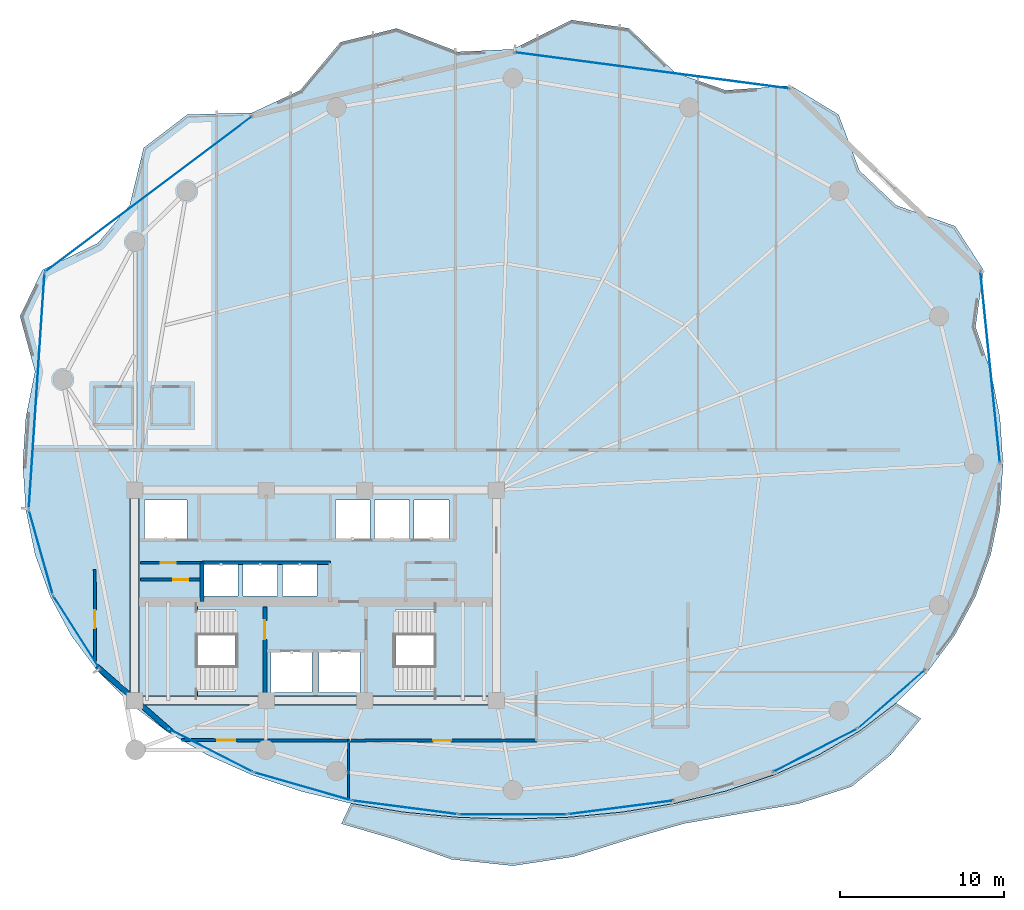
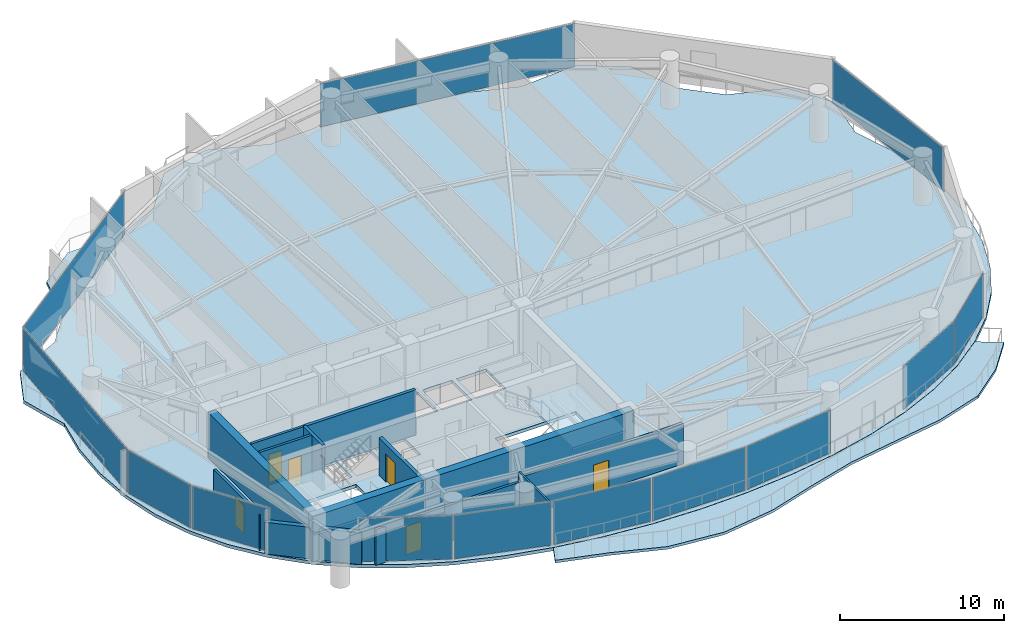
# One storey, part 24 of 30: 13 plates, 12 walls, 6 doors, 4 slabs, 6 openings, 15 elements without a shape of their own.
"""IFC4 building model written with IfcOpenShell, lengths in metres."""

from ifc_helpers import new_model, si_unit, direction, frame, frame_2d, origin, origin_2d, place, context, subcontext, project, spatial, polyline, rectangle, outline, extrude, material, layer, layer_set, type_object, element, fill, aggregate, save


model = new_model("IFC4")

# Units and contexts
model_context = context("Model", 3, precision=1e-05, world=origin(), true_north=direction((0.0, 1.0)))
body_context = subcontext(model_context, "Body", "Model", "MODEL_VIEW")
ifc_project = project(units=[si_unit("LENGTHUNIT", "METRE"), si_unit("AREAUNIT", "SQUARE_METRE"), si_unit("VOLUMEUNIT", "CUBIC_METRE"), si_unit("PLANEANGLEUNIT", "RADIAN"), si_unit("MASSUNIT", "GRAM", prefix="KILO")], contexts=[model_context])

# Site, building, storey
site_placement = place(None, origin())
site = spatial("IfcSite", under=ifc_project, at=site_placement, CompositionType="ELEMENT")
building_placement = place(site_placement, origin())
building = spatial("IfcBuilding", under=site, at=building_placement, Name="Kazevale Care Tower and Concert Hall", CompositionType="ELEMENT")
storey_placement = place(building_placement, frame((0.0, 0.0, 131.39990234375)))
storey = spatial("IfcBuildingStorey", under=building, at=storey_placement, Name="L34", CompositionType="ELEMENT", Elevation=131.39990234375)

# Curtain wall, plate
ifc_material_1 = material(Name="Aluminium 6063-T6 and Low-E Glass", Category="aluminium")
ifc_layer_1 = layer(ifc_material_1, 0.179931640625)
ifc_layer_set_1 = layer_set([ifc_layer_1], Name="Aluminium 6063-T6 and Low-E Glass")
curtain_wall_type_1 = type_object("IfcCurtainWallType", Name="Convex Recessed Sunroom Curtain Wall CW-3", PredefinedType="NOTDEFINED", material=ifc_layer_set_1)
curtain_wall_1_placement = place(storey_placement, origin())
curtain_wall_1 = element("IfcCurtainWall", 1, at=curtain_wall_1_placement, inside=storey, type_object=curtain_wall_type_1, Name="cw:L34:f14", PredefinedType="NOTDEFINED")
ifc_material_2 = material(Name="Low-E Laminated Glass", Category="glass")
ifc_layer_2 = layer(ifc_material_2, 0.028076171875)
ifc_layer_set_2 = layer_set([ifc_layer_2], Name="Low-E Laminated Glass")
plate_type_1 = type_object("IfcPlateType", Name="CW-3 Low-E Glazing Panel 28mm", PredefinedType="CURTAIN_PANEL", material=ifc_layer_set_2)
plate_1_placement = place(storey_placement, frame((22.8583984375, 54.402099609375, 0.0751953125), z_axis=(0.0, 0.0, 1.0), x_axis=(0.799400950952, 0.600797902474, 0.0)))
plate_1 = element("IfcPlate", 2, at=plate_1_placement, type_object=plate_type_1, Name="CW-3 panel 1.1", PredefinedType="CURTAIN_PANEL", context=body_context, shape_type="SweptSolid", body=[
    extrude(rectangle(XDim=15.685546875, YDim=0.028076171875, at=origin_2d()), origin(), (0.0, 0.0, 1.0), 3.2099609375),
])
aggregate(curtain_wall_1, [plate_1])

curtain_wall_2_placement = place(storey_placement, origin())
curtain_wall_2 = element("IfcCurtainWall", 3, at=curtain_wall_2_placement, inside=storey, type_object=curtain_wall_type_1, Name="cw:L34:f16", PredefinedType="NOTDEFINED")
plate_2_placement = place(storey_placement, frame((53.447509765625, 61.91357421875, 0.0751953125), z_axis=(0.0, 0.0, 1.0), x_axis=(0.991405823257, -0.130822374277, 0.0)))
plate_2 = element("IfcPlate", 4, at=plate_2_placement, type_object=plate_type_1, Name="CW-3 panel 1.1", PredefinedType="CURTAIN_PANEL", context=body_context, shape_type="SweptSolid", body=[
    extrude(rectangle(XDim=16.796630859375, YDim=0.028076171875, at=origin_2d()), origin(), (0.0, 0.0, 1.0), 3.2099609375),
])
aggregate(curtain_wall_2, [plate_2])

ifc_layer_3 = layer(ifc_material_1, 0.179931640625)
ifc_layer_set_3 = layer_set([ifc_layer_3], Name="Aluminium 6063-T6 and Low-E Glass")
curtain_wall_type_2 = type_object("IfcCurtainWallType", Name="Waist & Upper Residential Curtain Wall CW-4", PredefinedType="NOTDEFINED", material=ifc_layer_set_3)
curtain_wall_3_placement = place(storey_placement, origin())
curtain_wall_3 = element("IfcCurtainWall", 5, at=curtain_wall_3_placement, inside=storey, type_object=curtain_wall_type_2, Name="cw:L34:f11", PredefinedType="NOTDEFINED")
ifc_layer_4 = layer(ifc_material_2, 0.030029296875)
ifc_layer_set_4 = layer_set([ifc_layer_4], Name="Low-E Laminated Glass")
plate_type_2 = type_object("IfcPlateType", Name="CW-4 Low-E Glazing Panel 30mm", PredefinedType="CURTAIN_PANEL", material=ifc_layer_set_4)
plate_3_placement = place(storey_placement, frame((18.470458984375, 27.75244140625, 0.080078125), z_axis=(0.0, 0.0, 1.0), x_axis=(-0.537239193981, 0.843429930967, 0.0)))
plate_3 = element("IfcPlate", 6, at=plate_3_placement, type_object=plate_type_2, Name="CW-4 panel 1.1", PredefinedType="CURTAIN_PANEL", context=body_context, shape_type="SweptSolid", body=[
    extrude(rectangle(XDim=5.176513671875, YDim=0.030029296875, at=origin_2d()), origin(), (0.0, 0.0, 1.0), 3.199951171875),
])
aggregate(curtain_wall_3, [plate_3])

curtain_wall_4_placement = place(storey_placement, origin())
curtain_wall_4 = element("IfcCurtainWall", 7, at=curtain_wall_4_placement, inside=storey, type_object=curtain_wall_type_2, Name="cw:L34:f12", PredefinedType="NOTDEFINED")
plate_4_placement = place(storey_placement, frame((16.301513671875, 32.612548828125, 0.080078125), z_axis=(0.0, 0.0, 1.0), x_axis=(-0.271284948278, 0.962499078876, 0.0)))
plate_4 = element("IfcPlate", 8, at=plate_4_placement, type_object=plate_type_2, Name="CW-4 panel 1.1", PredefinedType="CURTAIN_PANEL", context=body_context, shape_type="SweptSolid", body=[
    extrude(rectangle(XDim=5.262451171875, YDim=0.030029296875, at=origin_2d()), origin(), (0.0, 0.0, 1.0), 3.199951171875),
])
aggregate(curtain_wall_4, [plate_4])

curtain_wall_5_placement = place(storey_placement, origin())
curtain_wall_5 = element("IfcCurtainWall", 9, at=curtain_wall_5_placement, inside=storey, type_object=curtain_wall_type_2, Name="cw:L34:f13", PredefinedType="NOTDEFINED")
plate_5_placement = place(storey_placement, frame((16.047607421875, 42.43359375, 0.080078125), z_axis=(0.0, 0.0, 1.0), x_axis=(0.06662002475, 0.997778418439, 0.0)))
plate_5 = element("IfcPlate", 10, at=plate_5_placement, type_object=plate_type_2, Name="CW-4 panel 1.1", PredefinedType="CURTAIN_PANEL", context=body_context, shape_type="SweptSolid", body=[
    extrude(rectangle(XDim=14.295166015625, YDim=0.030029296875, at=origin_2d()), origin(), (0.0, 0.0, 1.0), 3.199951171875),
])
aggregate(curtain_wall_5, [plate_5])

curtain_wall_6_placement = place(storey_placement, origin())
curtain_wall_6 = element("IfcCurtainWall", 11, at=curtain_wall_6_placement, inside=storey, type_object=curtain_wall_type_2, Name="cw:L34:f18", PredefinedType="NOTDEFINED")
plate_6_placement = place(storey_placement, frame((74.01904296875, 43.868896484375, 0.080078125), z_axis=(0.0, 0.0, 1.0), x_axis=(0.101869730126, -0.994797747326, 0.0)))
plate_6 = element("IfcPlate", 12, at=plate_6_placement, type_object=plate_type_2, Name="CW-4 panel 1.1", PredefinedType="CURTAIN_PANEL", context=body_context, shape_type="SweptSolid", body=[
    extrude(rectangle(XDim=11.639404296875, YDim=0.030029296875, at=origin_2d()), origin(), (0.0, 0.0, 1.0), 3.199951171875),
])
aggregate(curtain_wall_6, [plate_6])

ifc_layer_5 = layer(ifc_material_1, 0.179931640625)
ifc_layer_set_5 = layer_set([ifc_layer_5], Name="Aluminium 6063-T6 and Low-E Glass")
curtain_wall_type_3 = type_object("IfcCurtainWallType", Name="Sheltered Concave Balcony Curtain Wall CW-5", PredefinedType="NOTDEFINED", material=ifc_layer_set_5)
curtain_wall_7_placement = place(storey_placement, origin())
curtain_wall_7 = element("IfcCurtainWall", 13, at=curtain_wall_7_placement, inside=storey, type_object=curtain_wall_type_3, Name="cw:L34:f02", PredefinedType="NOTDEFINED")
ifc_layer_6 = layer(ifc_material_2, 0.02587890625)
ifc_layer_set_6 = layer_set([ifc_layer_6], Name="Low-E Laminated Glass")
plate_type_3 = type_object("IfcPlateType", Name="CW-5 Low-E Glazing Panel 26mm", PredefinedType="CURTAIN_PANEL", material=ifc_layer_set_6)
plate_7_placement = place(storey_placement, frame((68.033447265625, 23.699951171875, 0.0751953125), z_axis=(0.0, 0.0, 1.0), x_axis=(-0.753062779437, -0.657948668382, 0.0)))
plate_7 = element("IfcPlate", 14, at=plate_7_placement, type_object=plate_type_3, Name="CW-5 panel 1.1", PredefinedType="CURTAIN_PANEL", context=body_context, shape_type="SweptSolid", body=[
    extrude(rectangle(XDim=5.32763671875, YDim=0.02587890625, at=origin_2d()), origin(), (0.0, 0.0, 1.0), 3.2099609375),
])
aggregate(curtain_wall_7, [plate_7])

curtain_wall_8_placement = place(storey_placement, origin())
curtain_wall_8 = element("IfcCurtainWall", 15, at=curtain_wall_8_placement, inside=storey, type_object=curtain_wall_type_3, Name="cw:L34:f03", PredefinedType="NOTDEFINED")
plate_8_placement = place(storey_placement, frame((63.3798828125, 20.571533203125, 0.0751953125), z_axis=(0.0, 0.0, 1.0), x_axis=(-0.890126646051, -0.455713236575, 0.0)))
plate_8 = element("IfcPlate", 16, at=plate_8_placement, type_object=plate_type_3, Name="CW-5 panel 1.1", PredefinedType="CURTAIN_PANEL", context=body_context, shape_type="SweptSolid", body=[
    extrude(rectangle(XDim=5.671630859375, YDim=0.02587890625, at=origin_2d()), origin(), (0.0, 0.0, 1.0), 3.2099609375),
])
aggregate(curtain_wall_8, [plate_8])

curtain_wall_9_placement = place(storey_placement, origin())
curtain_wall_9 = element("IfcCurtainWall", 17, at=curtain_wall_9_placement, inside=storey, type_object=curtain_wall_type_3, Name="cw:L34:f05", PredefinedType="NOTDEFINED")
plate_9_placement = place(storey_placement, frame((51.5654296875, 17.1044921875, 0.0751953125), z_axis=(0.0, 0.0, 1.0), x_axis=(-0.991685519364, -0.12868500567, 0.0)))
plate_9 = element("IfcPlate", 18, at=plate_9_placement, type_object=plate_type_3, Name="CW-5 panel 1.1", PredefinedType="CURTAIN_PANEL", context=body_context, shape_type="SweptSolid", body=[
    extrude(rectangle(XDim=6.38525390625, YDim=0.02587890625, at=origin_2d()), origin(), (0.0, 0.0, 1.0), 3.2099609375),
])
aggregate(curtain_wall_9, [plate_9])

curtain_wall_10_placement = place(storey_placement, origin())
curtain_wall_10 = element("IfcCurtainWall", 19, at=curtain_wall_10_placement, inside=storey, type_object=curtain_wall_type_3, Name="cw:L34:f06", PredefinedType="NOTDEFINED")
plate_10_placement = place(storey_placement, frame((45.0, 16.68408203125, 0.0751953125), z_axis=(0.0, 0.0, 1.0), x_axis=(-1.0, 0.0, 0.0)))
plate_10 = element("IfcPlate", 20, at=plate_10_placement, type_object=plate_type_3, Name="CW-5 panel 1.1", PredefinedType="CURTAIN_PANEL", context=body_context, shape_type="SweptSolid", body=[
    extrude(rectangle(XDim=6.5, YDim=0.02587890625, at=origin_2d()), origin(), (0.0, 0.0, 1.0), 3.2099609375),
])
aggregate(curtain_wall_10, [plate_10])

curtain_wall_11_placement = place(storey_placement, origin())
curtain_wall_11 = element("IfcCurtainWall", 21, at=curtain_wall_11_placement, inside=storey, type_object=curtain_wall_type_3, Name="cw:L34:f07", PredefinedType="NOTDEFINED")
plate_11_placement = place(storey_placement, frame((38.4345703125, 17.1044921875, 0.0751953125), z_axis=(0.0, 0.0, 1.0), x_axis=(-0.991685519364, 0.12868500567, 0.0)))
plate_11 = element("IfcPlate", 22, at=plate_11_placement, type_object=plate_type_3, Name="CW-5 panel 1.1", PredefinedType="CURTAIN_PANEL", context=body_context, shape_type="SweptSolid", body=[
    extrude(rectangle(XDim=6.38525390625, YDim=0.02587890625, at=origin_2d()), origin(), (0.0, 0.0, 1.0), 3.2099609375),
])
aggregate(curtain_wall_11, [plate_11])

curtain_wall_12_placement = place(storey_placement, origin())
curtain_wall_12 = element("IfcCurtainWall", 23, at=curtain_wall_12_placement, inside=storey, type_object=curtain_wall_type_3, Name="cw:L34:f08", PredefinedType="NOTDEFINED")
plate_12_placement = place(storey_placement, frame((32.202392578125, 18.385009765625, 0.0751953125), z_axis=(0.0, 0.0, 1.0), x_axis=(-0.961074102639, 0.276290733172, 0.0)))
plate_12 = element("IfcPlate", 24, at=plate_12_placement, type_object=plate_type_3, Name="CW-5 panel 1.1", PredefinedType="CURTAIN_PANEL", context=body_context, shape_type="SweptSolid", body=[
    extrude(rectangle(XDim=6.075439453125, YDim=0.02587890625, at=origin_2d()), origin(), (0.0, 0.0, 1.0), 3.2099609375),
])
aggregate(curtain_wall_12, [plate_12])

curtain_wall_13_placement = place(storey_placement, origin())
curtain_wall_13 = element("IfcCurtainWall", 25, at=curtain_wall_13_placement, inside=storey, type_object=curtain_wall_type_3, Name="cw:L34:f09", PredefinedType="NOTDEFINED")
plate_13_placement = place(storey_placement, frame((26.6201171875, 20.571533203125, 0.0751953125), z_axis=(0.0, 0.0, 1.0), x_axis=(-0.890126646051, 0.455713236575, 0.0)))
plate_13 = element("IfcPlate", 26, at=plate_13_placement, type_object=plate_type_3, Name="CW-5 panel 1.1", PredefinedType="CURTAIN_PANEL", context=body_context, shape_type="SweptSolid", body=[
    extrude(rectangle(XDim=5.671630859375, YDim=0.02587890625, at=origin_2d()), origin(), (0.0, 0.0, 1.0), 3.2099609375),
])
aggregate(curtain_wall_13, [plate_13])

# Slab
ifc_material_3 = material(Name="Concrete C40", Category="concrete")
ifc_layer_7 = layer(ifc_material_3, 0.199951171875)
ifc_layer_set_7 = layer_set([ifc_layer_7], Name="Concrete C40")
slab_type_1 = type_object("IfcSlabType", Name="Sinusoidal Concave Balcony Slab 200", PredefinedType="USERDEFINED", material=ifc_layer_set_7)
slab_1_placement = place(storey_placement, frame((0.0, 0.0, -0.199951171875)))
element("IfcSlab", 27, at=slab_1_placement, inside=storey, type_object=slab_type_1, Name="slab:L34:bal", ObjectType="BALCONY", PredefinedType="USERDEFINED", context=body_context, shape_type="SweptSolid", body=[
    extrude(outline(polyline([(69.811279296875, 22.501708984375), (67.960205078125, 20.29150390625), (65.59619140625, 18.37060546875), (62.32666015625, 17.3203125), (58.822021484375, 16.72509765625), (55.42333984375, 16.12890625), (52.140625, 15.191162109375), (48.707275390625, 14.11572265625), (45.0, 13.556884765625), (41.2666015625, 13.94775390625), (37.848388671875, 15.156494140625), (34.56982421875, 16.114501953125), (35.155517578125, 17.343505859375), (35.15673828125, 17.34326171875), (38.368408203125, 16.81396484375), (41.6630859375, 16.49951171875), (45.0, 16.39501953125), (48.3369140625, 16.49951171875), (51.631591796875, 16.81396484375), (54.84326171875, 17.34326171875), (57.93115234375, 18.09375), (60.8564453125, 19.07275390625), (63.582275390625, 20.28759765625), (66.07470703125, 21.74365234375), (68.302001953125, 23.442626953125), (68.302978515625, 23.44384765625), (69.811279296875, 22.501708984375)])), origin(), (0.0, 0.0, 1.0), 0.199951171875),
])

# Stair, slab
stair_type = type_object("IfcStairType", Name="Exit Stair Assembly ST1-Z2", PredefinedType="HALF_TURN_STAIR", material=ifc_material_3)
stair_1_placement = place(storey_placement, origin())
stair_1 = element("IfcStair", 28, at=stair_1_placement, inside=storey, type_object=stair_type, Name="stair:L34:ST1", PredefinedType="HALF_TURN_STAIR")
ifc_layer_8 = layer(ifc_material_3, 0.199951171875)
ifc_layer_set_8 = layer_set([ifc_layer_8], Name="Concrete C40")
slab_type_2 = type_object("IfcSlabType", Name="Stair Half-Landing Slab ST1-Z2", PredefinedType="LANDING", material=ifc_layer_set_8)
slab_2_placement = place(storey_placement, frame((0.0, 0.0, 1.60009765625)))
slab_2 = element("IfcSlab", 29, at=slab_2_placement, type_object=slab_type_2, Name="ST1-Z2 landing 1", PredefinedType="LANDING", context=body_context, shape_type="SweptSolid", body=[
    extrude(outline(polyline([(22.050048828125, 23.699951171875), (25.81005859375, 23.699951171875), (25.81005859375, 29.5), (22.050048828125, 29.5), (22.050048828125, 23.699951171875)])), origin(), (0.0, 0.0, 1.0), 0.199951171875),
])
aggregate(stair_1, [slab_2])

stair_2_placement = place(storey_placement, origin())
stair_2 = element("IfcStair", 30, at=stair_2_placement, inside=storey, type_object=stair_type, Name="stair:L34:ST2", PredefinedType="HALF_TURN_STAIR")
slab_3_placement = place(storey_placement, frame((0.0, 0.0, 1.60009765625)))
slab_3 = element("IfcSlab", 31, at=slab_3_placement, type_object=slab_type_2, Name="ST1-Z2 landing 1", PredefinedType="LANDING", context=body_context, shape_type="SweptSolid", body=[
    extrude(outline(polyline([(40.18994140625, 23.699951171875), (43.949951171875, 23.699951171875), (43.949951171875, 29.5), (40.18994140625, 29.5), (40.18994140625, 23.699951171875)])), origin(), (0.0, 0.0, 1.0), 0.199951171875),
])
aggregate(stair_2, [slab_3])

# Slab
ifc_layer_9 = layer(ifc_material_3, 0.239990234375)
ifc_layer_set_9 = layer_set([ifc_layer_9], Name="Concrete C40")
slab_type_3 = type_object("IfcSlabType", Name="Tower Typical Floor Slab 240", PredefinedType="FLOOR", material=ifc_layer_set_9)
slab_4_placement = place(storey_placement, frame((0.0, 0.0, -0.239990234375)))
element("IfcSlab", 32, at=slab_4_placement, inside=storey, type_object=slab_type_3, Name="slab:L34:tw:1", PredefinedType="FLOOR", context=body_context, shape_type="SweptSolid", body=[
    extrude(outline(polyline([(74.800048828125, 38.0), (74.612548828125, 40.821533203125), (74.052978515625, 43.607421875), (73.127685546875, 46.322998046875), (73.605712890625, 49.77978515625), (71.883544921875, 52.444580078125), (68.298583984375, 53.7119140625), (66.07177734375, 55.819091796875), (64.7958984375, 59.226806640625), (61.89208984375, 60.988525390625), (57.9296875, 60.704345703125), (54.84228515625, 61.785888671875), (52.06494140625, 64.46923828125), (48.554931640625, 64.979248046875), (45.0, 63.199951171875), (41.66357421875, 63.04150390625), (37.93505859375, 64.46923828125), (34.513671875, 63.62646484375), (32.0703125, 60.704345703125), (29.1455078125, 59.33740234375), (25.2041015625, 59.226806640625), (22.54931640625, 57.197998046875), (21.701416015625, 53.7119140625), (19.767578125, 51.4072265625), (16.394287109375, 49.77978515625), (15.03173828125, 46.967041015625), (15.947021484375, 43.607421875), (15.387451171875, 40.821533203125), (15.199951171875, 38.0), (15.387451171875, 35.197265625), (15.947021484375, 32.490234375), (16.872314453125, 29.92919921875), (18.151123046875, 27.551513671875), (19.767578125, 25.384521484375), (21.701416015625, 23.446533203125), (23.92822265625, 21.747802734375), (26.419921875, 20.2919921875), (29.1455078125, 19.077392578125), (32.0703125, 18.098388671875), (35.15771484375, 17.34814453125), (38.368896484375, 16.819091796875), (41.66357421875, 16.50439453125), (45.0, 16.39990234375), (48.33642578125, 16.50439453125), (51.631103515625, 16.819091796875), (54.84228515625, 17.34814453125), (57.9296875, 18.098388671875), (60.8544921875, 19.077392578125), (63.580078125, 20.2919921875), (66.07177734375, 21.747802734375), (68.298583984375, 23.446533203125), (70.232421875, 25.384521484375), (71.848876953125, 27.551513671875), (73.127685546875, 29.92919921875), (74.052978515625, 32.490234375), (74.612548828125, 35.197265625), (74.800048828125, 38.0)]), holes=[polyline([(22.449951171875, 24.14990234375), (28.110107421875, 24.14990234375), (28.110107421875, 29.14990234375), (22.449951171875, 29.14990234375), (22.449951171875, 24.14990234375)]), polyline([(37.889892578125, 24.14990234375), (43.550048828125, 24.14990234375), (43.550048828125, 29.14990234375), (37.889892578125, 29.14990234375), (37.889892578125, 24.14990234375)]), polyline([(30.300048828125, 24.10009765625), (32.800048828125, 24.10009765625), (32.800048828125, 26.60009765625), (30.300048828125, 26.60009765625), (30.300048828125, 24.10009765625)]), polyline([(33.199951171875, 24.10009765625), (35.699951171875, 24.10009765625), (35.699951171875, 26.60009765625), (33.199951171875, 26.60009765625), (33.199951171875, 24.10009765625)]), polyline([(22.60009765625, 33.39990234375), (25.199951171875, 33.39990234375), (25.199951171875, 35.800048828125), (22.60009765625, 35.800048828125), (22.60009765625, 33.39990234375)]), polyline([(34.199951171875, 33.39990234375), (36.300048828125, 33.39990234375), (36.300048828125, 35.800048828125), (34.199951171875, 35.800048828125), (34.199951171875, 33.39990234375)]), polyline([(36.60009765625, 33.39990234375), (38.699951171875, 33.39990234375), (38.699951171875, 35.800048828125), (36.60009765625, 35.800048828125), (36.60009765625, 33.39990234375)]), polyline([(39.0, 33.39990234375), (41.10009765625, 33.39990234375), (41.10009765625, 35.800048828125), (39.0, 35.800048828125), (39.0, 33.39990234375)]), polyline([(26.199951171875, 29.949951171875), (28.300048828125, 29.949951171875), (28.300048828125, 31.949951171875), (26.199951171875, 31.949951171875), (26.199951171875, 29.949951171875)]), polyline([(28.60009765625, 29.949951171875), (30.699951171875, 29.949951171875), (30.699951171875, 31.949951171875), (28.60009765625, 31.949951171875), (28.60009765625, 29.949951171875)]), polyline([(31.0, 29.949951171875), (33.10009765625, 29.949951171875), (33.10009765625, 31.949951171875), (31.0, 31.949951171875), (31.0, 29.949951171875)])]), origin(), (0.0, 0.0, 1.0), 0.239990234375),
])

# Walls
ifc_material_4 = material(Name="Acoustic Gypsum on Steel Stud", Category="steel")
ifc_layer_10 = layer(ifc_material_4, 0.139892578125)
ifc_layer_set_10 = layer_set([ifc_layer_10], Name="Acoustic Gypsum on Steel Stud")
wall_type_1 = type_object("IfcWallType", Name="Acoustic Care & Suite Partition 140", PredefinedType="PARTITIONING", material=ifc_layer_set_10)
wall_1_placement = place(storey_placement, frame((35.0, 21.205078125, 0.0), z_axis=(0.0, 0.0, 1.0), x_axis=(0.0, -1.0, 0.0)))
element("IfcWall", 33, at=wall_1_placement, inside=storey, type_object=wall_type_1, Name="wall:L34:auto_030", PredefinedType="PARTITIONING", context=body_context, shape_type="SweptSolid", body=[
    extrude(rectangle(XDim=3.6142578125, YDim=0.139892578125, at=frame_2d((1.80712890625, 0.0))), origin(), (0.0, 0.0, 1.0), 3.360107421875),
])
ifc_material_5 = material(Name="Concrete C60", Category="concrete")
ifc_layer_11 = layer(ifc_material_5, 0.550048828125)
ifc_layer_set_11 = layer_set([ifc_layer_11], Name="Concrete C60")
wall_type_2 = type_object("IfcWallType", Name="Core Shear Wall 550 C60", PredefinedType="SHEAR", material=ifc_layer_set_11)
wall_2_placement = place(storey_placement, frame((21.72509765625, 23.60009765625, 0.0), z_axis=(0.0, 0.0, 1.0), x_axis=(1.0, 0.0, 0.0)))
element("IfcWall", 34, at=wall_2_placement, inside=storey, type_object=wall_type_2, Name="wall:L34:core:S", PredefinedType="SHEAR", context=body_context, shape_type="SweptSolid", body=[
    extrude(rectangle(XDim=22.5498046875, YDim=0.550048828125, at=frame_2d((11.27490234375, 0.0))), origin(), (0.0, 0.0, 1.0), 3.360107421875),
])
wall_3_placement = place(storey_placement, frame((22.0, 23.875, 0.0), z_axis=(0.0, 0.0, 1.0), x_axis=(0.0, 1.0, 0.0)))
element("IfcWall", 35, at=wall_3_placement, inside=storey, type_object=wall_type_2, Name="wall:L34:core:W", PredefinedType="SHEAR", context=body_context, shape_type="SweptSolid", body=[
    extrude(rectangle(XDim=12.25, YDim=0.550048828125, at=frame_2d((6.125, 0.0))), origin(), (0.0, 0.0, 1.0), 3.360107421875),
])
ifc_layer_12 = layer(ifc_material_3, 0.219970703125)
ifc_layer_set_12 = layer_set([ifc_layer_12], Name="Concrete C40")
wall_type_3 = type_object("IfcWallType", Name="Elevator Hoistway Shaft Wall 220", PredefinedType="SOLIDWALL", material=ifc_layer_set_12)
wall_4_placement = place(storey_placement, frame((26.10009765625, 29.6201171875, 0.0), z_axis=(0.0, 0.0, 1.0), x_axis=(0.0, 1.0, 0.0)))
element("IfcWall", 36, at=wall_4_placement, inside=storey, type_object=wall_type_3, Name="wall:L34:c_ph_w", PredefinedType="SOLIDWALL", context=body_context, shape_type="SweptSolid", body=[
    extrude(rectangle(XDim=2.35986328125, YDim=0.219970703125, at=frame_2d((1.179931640625, 0.0))), origin(), (0.0, 0.0, 1.0), 3.360107421875),
])
wall_5_placement = place(storey_placement, frame((26.10009765625, 31.97998046875, 0.0), z_axis=(0.0, 0.0, 1.0), x_axis=(1.0, 0.0, 0.0)))
element("IfcWall", 37, at=wall_5_placement, inside=storey, type_object=wall_type_3, Name="wall:L34:c_ph_n", PredefinedType="SOLIDWALL", context=body_context, shape_type="SweptSolid", body=[
    extrude(rectangle(XDim=7.7998046875, YDim=0.219970703125, at=frame_2d((3.89990234375, 0.0))), origin(), (0.0, 0.0, 1.0), 3.360107421875),
])

# Wall, opening, door
ifc_material_6 = material(Name="Concrete C40 and Acoustic Gypsum", Category="concrete")
ifc_layer_13 = layer(ifc_material_6, 0.179931640625)
ifc_layer_set_13 = layer_set([ifc_layer_13], Name="Concrete C40 and Acoustic Gypsum")
wall_type_4 = type_object("IfcWallType", Name="Fire-Rated Corridor & Party Wall 180", PredefinedType="PARTITIONING", material=ifc_layer_set_13)
wall_6_placement = place(storey_placement, frame((22.35009765625, 30.949951171875, 0.0), z_axis=(0.0, 0.0, 1.0), x_axis=(1.0, 0.0, 0.0)))
wall_6 = element("IfcWall", 38, at=wall_6_placement, inside=storey, type_object=wall_type_4, Name="wall:L34:kc_wm", PredefinedType="PARTITIONING", context=body_context, shape_type="SweptSolid", body=[
    extrude(rectangle(XDim=3.75, YDim=0.179931640625, at=frame_2d((1.875, 0.0))), origin(), (0.0, 0.0, 1.0), 3.360107421875),
])
opening_1_placement = place(wall_6_placement, frame((1.988037109375, 0.0, 0.0)))
opening_1 = element("IfcOpeningElement", 39, at=opening_1_placement, cuts=wall_6, Name="Opening ID-900", PredefinedType="OPENING", context=body_context, shape_type="SweptSolid", body=[
    extrude(rectangle(XDim=0.919921875, YDim=2.10009765625, at=frame_2d((0.4599609375, 1.050048828125))), frame((0.0, 0.099853515625, 0.0), z_axis=(0.0, -1.0, 0.0), x_axis=(1.0, 0.0, 0.0)), (0.0, 0.0, 1.0), 0.199951171875),
])
ifc_material_7 = material(Name="Oak Timber Fire Leaf", Category="wood")
door_type_1 = type_object("IfcDoorType", Name="Bathroom & Service Door 920x2100", OperationType="NOTDEFINED", PredefinedType="DOOR", material=ifc_material_7)
door_1_placement = place(opening_1_placement, origin())
door_1 = element("IfcDoor", 40, at=door_1_placement, inside=storey, type_object=door_type_1, Name="door:L34:d_kcwb", OperationType="SINGLE_SWING_RIGHT", OverallHeight=2.10009765625, OverallWidth=0.919921875, PredefinedType="DOOR", context=body_context, shape_type="SweptSolid", body=[
    extrude(rectangle(XDim=0.919921875, YDim=2.10009765625, at=frame_2d((0.4599609375, 1.050048828125))), frame((0.0, 0.02490234375, 0.0), z_axis=(0.0, -1.0, 0.0), x_axis=(1.0, 0.0, 0.0)), (0.0, 0.0, 1.0), 0.050048828125),
])
fill(opening_1, door_1)

wall_7_placement = place(storey_placement, frame((22.35009765625, 31.97998046875, 0.0), z_axis=(0.0, 0.0, 1.0), x_axis=(1.0, 0.0, 0.0)))
wall_7 = element("IfcWall", 41, at=wall_7_placement, inside=storey, type_object=wall_type_4, Name="wall:L34:kc_wn", PredefinedType="PARTITIONING", context=body_context, shape_type="SweptSolid", body=[
    extrude(rectangle(XDim=3.75, YDim=0.179931640625, at=frame_2d((1.875, 0.0))), origin(), (0.0, 0.0, 1.0), 3.360107421875),
])
opening_2_placement = place(wall_7_placement, frame((1.238037109375, 0.0, 0.0)))
opening_2 = element("IfcOpeningElement", 42, at=opening_2_placement, cuts=wall_7, Name="Opening ID-900", PredefinedType="OPENING", context=body_context, shape_type="SweptSolid", body=[
    extrude(rectangle(XDim=0.919921875, YDim=2.10009765625, at=frame_2d((0.4599609375, 1.050048828125))), frame((0.0, 0.099853515625, 0.0), z_axis=(0.0, -1.0, 0.0), x_axis=(1.0, 0.0, 0.0)), (0.0, 0.0, 1.0), 0.199951171875),
])
door_2_placement = place(opening_2_placement, origin())
door_2 = element("IfcDoor", 43, at=door_2_placement, inside=storey, type_object=door_type_1, Name="door:L34:d_kcwt", OperationType="SINGLE_SWING_LEFT", OverallHeight=2.10009765625, OverallWidth=0.919921875, PredefinedType="DOOR", context=body_context, shape_type="SweptSolid", body=[
    extrude(rectangle(XDim=0.919921875, YDim=2.10009765625, at=frame_2d((0.4599609375, 1.050048828125))), frame((0.0, 0.02490234375, 0.0), z_axis=(0.0, -1.0, 0.0), x_axis=(1.0, 0.0, 0.0)), (0.0, 0.0, 1.0), 0.050048828125),
])
fill(opening_2, door_2)

wall_8_placement = place(storey_placement, frame((35.06494140625, 21.175048828125, 0.0), z_axis=(0.0, 0.0, 1.0), x_axis=(-0.999998434459, 0.001769485513, 0.0)))
wall_8 = element("IfcWall", 44, at=wall_8_placement, inside=storey, type_object=wall_type_4, Name="wall:L34:auto_016", PredefinedType="PARTITIONING", context=body_context, shape_type="SweptSolid", body=[
    extrude(rectangle(XDim=10.2099609375, YDim=0.179931640625, at=frame_2d((5.10498046875, 0.0))), origin(), (0.0, 0.0, 1.0), 2.656982421875),
])
opening_3_placement = place(wall_8_placement, frame((6.955078125, 0.0, 0.0)))
opening_3 = element("IfcOpeningElement", 45, at=opening_3_placement, cuts=wall_8, Name="Opening ID-1100", PredefinedType="OPENING", context=body_context, shape_type="SweptSolid", body=[
    extrude(rectangle(XDim=1.10009765625, YDim=2.10009765625, at=frame_2d((0.550048828125, 1.050048828125))), frame((0.0, 0.099853515625, 0.0), z_axis=(0.0, -1.0, 0.0), x_axis=(1.0, 0.0, 0.0)), (0.0, 0.0, 1.0), 0.199951171875),
])
door_type_2 = type_object("IfcDoorType", Name="Care Bedroom Accessible Door 1100x2100", OperationType="NOTDEFINED", PredefinedType="DOOR", material=ifc_material_7)
door_3_placement = place(opening_3_placement, origin())
door_3 = element("IfcDoor", 46, at=door_3_placement, inside=storey, type_object=door_type_2, Name="door:L34:ad_016", OperationType="SINGLE_SWING_LEFT", OverallHeight=2.10009765625, OverallWidth=1.10009765625, PredefinedType="DOOR", context=body_context, shape_type="SweptSolid", body=[
    extrude(rectangle(XDim=1.10009765625, YDim=2.10009765625, at=frame_2d((0.550048828125, 1.050048828125))), frame((0.0, 0.02490234375, 0.0), z_axis=(0.0, -1.0, 0.0), x_axis=(1.0, 0.0, 0.0)), (0.0, 0.0, 1.0), 0.050048828125),
])
fill(opening_3, door_3)

wall_9_placement = place(storey_placement, frame((46.455078125, 21.175048828125, 0.0), z_axis=(0.0, 0.0, 1.0), x_axis=(-1.0, 0.0, 0.0)))
wall_9 = element("IfcWall", 47, at=wall_9_placement, inside=storey, type_object=wall_type_4, Name="wall:L34:auto_017", PredefinedType="PARTITIONING", context=body_context, shape_type="SweptSolid", body=[
    extrude(rectangle(XDim=11.52001953125, YDim=0.179931640625, at=frame_2d((5.760009765625, 0.0))), origin(), (0.0, 0.0, 1.0), 2.99609375),
])
opening_4_placement = place(wall_9_placement, frame((5.2099609375, 0.0, 0.0)))
opening_4 = element("IfcOpeningElement", 48, at=opening_4_placement, cuts=wall_9, Name="Opening ID-1100", PredefinedType="OPENING", context=body_context, shape_type="SweptSolid", body=[
    extrude(rectangle(XDim=1.10009765625, YDim=2.10009765625, at=frame_2d((0.550048828125, 1.050048828125))), frame((0.0, 0.099853515625, 0.0), z_axis=(0.0, -1.0, 0.0), x_axis=(1.0, 0.0, 0.0)), (0.0, 0.0, 1.0), 0.199951171875),
])
door_4_placement = place(opening_4_placement, origin())
door_4 = element("IfcDoor", 49, at=door_4_placement, inside=storey, type_object=door_type_2, Name="door:L34:ad_017", OperationType="SINGLE_SWING_LEFT", OverallHeight=2.10009765625, OverallWidth=1.10009765625, PredefinedType="DOOR", context=body_context, shape_type="SweptSolid", body=[
    extrude(rectangle(XDim=1.10009765625, YDim=2.10009765625, at=frame_2d((0.550048828125, 1.050048828125))), frame((0.0, 0.02490234375, 0.0), z_axis=(0.0, -1.0, 0.0), x_axis=(1.0, 0.0, 0.0)), (0.0, 0.0, 1.0), 0.050048828125),
])
fill(opening_4, door_4)

wall_10_placement = place(storey_placement, frame((19.59521484375, 25.99658203125, 0.0), z_axis=(0.0, 0.0, 1.0), x_axis=(-0.003639049913, 0.999993378636, 0.0)))
wall_10 = element("IfcWall", 50, at=wall_10_placement, inside=storey, type_object=wall_type_4, Name="wall:L34:auto_018", PredefinedType="PARTITIONING", context=body_context, shape_type="SweptSolid", body=[
    extrude(rectangle(XDim=5.568359375, YDim=0.179931640625, at=frame_2d((2.7841796875, 0.0))), origin(), (0.0, 0.0, 1.0), 2.656982421875),
])
opening_5_placement = place(wall_10_placement, frame((2.00390625, 0.0, 0.0)))
opening_5 = element("IfcOpeningElement", 51, at=opening_5_placement, cuts=wall_10, Name="Opening ID-1100", PredefinedType="OPENING", context=body_context, shape_type="SweptSolid", body=[
    extrude(rectangle(XDim=1.10009765625, YDim=2.10009765625, at=frame_2d((0.550048828125, 1.050048828125))), frame((0.0, 0.099853515625, 0.0), z_axis=(0.0, -1.0, 0.0), x_axis=(1.0, 0.0, 0.0)), (0.0, 0.0, 1.0), 0.199951171875),
])
door_5_placement = place(opening_5_placement, origin())
door_5 = element("IfcDoor", 52, at=door_5_placement, inside=storey, type_object=door_type_2, Name="door:L34:ad_018", OperationType="SINGLE_SWING_LEFT", OverallHeight=2.10009765625, OverallWidth=1.10009765625, PredefinedType="DOOR", context=body_context, shape_type="SweptSolid", body=[
    extrude(rectangle(XDim=1.10009765625, YDim=2.10009765625, at=frame_2d((0.550048828125, 1.050048828125))), frame((0.0, 0.02490234375, 0.0), z_axis=(0.0, -1.0, 0.0), x_axis=(1.0, 0.0, 0.0)), (0.0, 0.0, 1.0), 0.050048828125),
])
fill(opening_5, door_5)

ifc_layer_14 = layer(ifc_material_3, 0.25)
ifc_layer_set_14 = layer_set([ifc_layer_14], Name="Concrete C40")
wall_type_5 = type_object("IfcWallType", Name="Pressurized Stair Shaft Wall 250", PredefinedType="SOLIDWALL", material=ifc_layer_set_14)
wall_11_placement = place(storey_placement, frame((29.919921875, 23.89990234375, 0.0), z_axis=(0.0, 0.0, 1.0), x_axis=(0.0, 1.0, 0.0)))
wall_11 = element("IfcWall", 53, at=wall_11_placement, inside=storey, type_object=wall_type_5, Name="wall:L34:c_st1_e", PredefinedType="SOLIDWALL", context=body_context, shape_type="SweptSolid", body=[
    extrude(rectangle(XDim=5.400146484375, YDim=0.25, at=frame_2d((2.7001953125, 0.0))), origin(), (0.0, 0.0, 1.0), 2.80615234375),
])
opening_6_placement = place(wall_11_placement, frame((3.4208984375, 0.0, 0.0)))
opening_6 = element("IfcOpeningElement", 54, at=opening_6_placement, cuts=wall_11, Name="Opening FD-90", PredefinedType="OPENING", context=body_context, shape_type="SweptSolid", body=[
    extrude(rectangle(XDim=1.14990234375, YDim=2.10009765625, at=frame_2d((0.574951171875, 1.050048828125))), frame((0.0, 0.135009765625, 0.0), z_axis=(0.0, -1.0, 0.0), x_axis=(1.0, 0.0, 0.0)), (0.0, 0.0, 1.0), 0.27001953125),
])
ifc_material_8 = material(Name="Steel ASTM A572 Gr 50", Category="steel")
door_type_3 = type_object("IfcDoorType", Name="Pressurized Stair & Lobby Fire Door 1150x2100", OperationType="NOTDEFINED", PredefinedType="DOOR", material=ifc_material_8)
door_6_placement = place(opening_6_placement, origin())
door_6 = element("IfcDoor", 55, at=door_6_placement, inside=storey, type_object=door_type_3, Name="door:L34:st1", OperationType="SINGLE_SWING_RIGHT", OverallHeight=2.10009765625, OverallWidth=1.14990234375, PredefinedType="DOOR", context=body_context, shape_type="SweptSolid", body=[
    extrude(rectangle(XDim=1.14990234375, YDim=2.10009765625, at=frame_2d((0.574951171875, 1.050048828125))), frame((0.0, 0.02490234375, 0.0), z_axis=(0.0, -1.0, 0.0), x_axis=(1.0, 0.0, 0.0)), (0.0, 0.0, 1.0), 0.050048828125),
])
fill(opening_6, door_6)

# Wall
ifc_material_9 = material(Name="Concrete C40 with Honed Limestone Cladding", Category="masonry")
ifc_layer_15 = layer(ifc_material_9, 0.320068359375)
ifc_layer_set_15 = layer_set([ifc_layer_15], Name="Concrete C40 with Honed Limestone Cladding")
wall_type_6 = type_object("IfcWallType", Name="Tower Honed Limestone Spandrel Wall 320", PredefinedType="STANDARD", material=ifc_layer_set_15)
wall_12_placement = place(storey_placement, frame((24.22509765625, 21.72705078125, 0.0), z_axis=(0.0, 0.0, 1.0), x_axis=(-0.753105964003, 0.657899237713, 0.0)))
element("IfcWall", 56, at=wall_12_placement, inside=storey, type_object=wall_type_6, Name="wall:cw:L34:f10", PredefinedType="STANDARD", context=body_context, shape_type="SweptSolid", body=[
    extrude(rectangle(XDim=5.998046875, YDim=0.320068359375, at=frame_2d((2.9990234375, 0.0))), origin(), (0.0, 0.0, 1.0), 2.35009765625),
])

save(model, "model.ifc")
